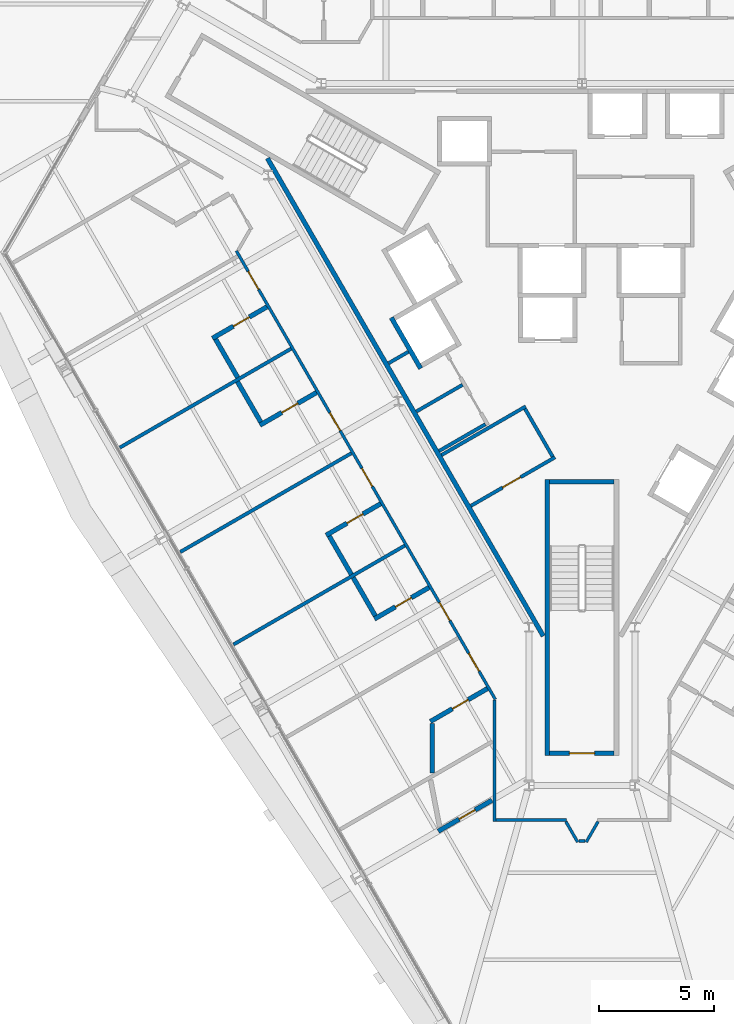
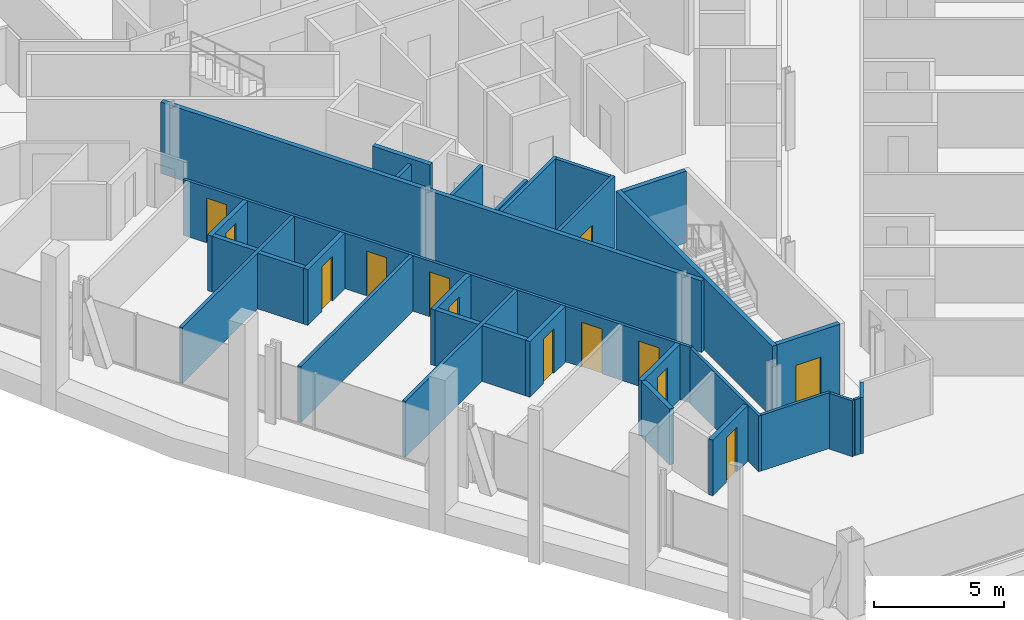
# One storey, part 11 of 19: 31 walls, 13 doors, 13 openings.
"""IFC4 building model written with IfcOpenShell, lengths in metres."""

import ifcopenshell
import ifcopenshell.guid

model = None  # the IFC model being written
_history = None  # IfcOwnerHistory: only IFC2X3 demands one
_inside = {}  # id of a spatial element -> (the spatial element, [elements in it])
_under = {}  # id of a project, library or spatial element -> (it, [spatial elements below it])
_declared = {}  # id of a project -> (the project, [libraries it declares])
_typed = {}  # id of a type object -> (the type object, [elements of that type])
_made_of = {}  # id of a material, layer set ... -> (it, [elements and type objects made of it])


def new_model(schema):
    """Start an empty IFC model of exactly this schema.

    Asked for "IFC4X3", IfcOpenShell would pick the latest addendum, in which some entities
    have other attributes; the version numbers below select the first issue.
    IFC2X3 requires an IfcOwnerHistory on every rooted entity: one is made here for all.
    """
    global model, _history
    if schema == "IFC4X3":
        model = ifcopenshell.file(schema_version=(4, 3, 0, 0))
    else:
        model = ifcopenshell.file(schema=schema)
    _inside.clear()
    _under.clear()
    _declared.clear()
    _typed.clear()
    _made_of.clear()
    _history = None
    if model.schema == "IFC2X3":
        org = make("IfcOrganization", Name="unknown")
        user = make(
            "IfcPersonAndOrganization",
            ThePerson=make("IfcPerson", FamilyName="unknown"),
            TheOrganization=org,
        )
        app = make(
            "IfcApplication",
            ApplicationDeveloper=org,
            Version="unknown",
            ApplicationFullName="unknown",
            ApplicationIdentifier="unknown",
        )
        _history = make(
            "IfcOwnerHistory",
            OwningUser=user,
            OwningApplication=app,
            ChangeAction="ADDED",
            CreationDate=0,
        )
    return model


def make(cls, **values):
    """One entity of the class cls with the attributes given. An attribute that is None is left unset."""
    return model.create_entity(
        cls, **{name: value for name, value in values.items() if value is not None}
    )


def rooted(cls, **values):
    """An entity with a GlobalId (a new one), such as an element, a storey or a relation."""
    return make(cls, GlobalId=ifcopenshell.guid.new(), OwnerHistory=_history, **values)


def si_unit(unit_type, name, prefix=None):
    """IfcSIUnit, for example si_unit("LENGTHUNIT", "METRE", prefix="MILLI")."""
    return make("IfcSIUnit", UnitType=unit_type, Prefix=prefix, Name=name)


def assignment(units):
    """IfcUnitAssignment: the units of a project."""
    return None if units is None else make("IfcUnitAssignment", Units=units)


def point(xyz):
    """IfcCartesianPoint."""
    return None if xyz is None else make("IfcCartesianPoint", Coordinates=xyz)


def direction(xyz):
    """IfcDirection."""
    return None if xyz is None else make("IfcDirection", DirectionRatios=xyz)


def frame(location, z_axis=None, x_axis=None):
    """IfcAxis2Placement3D, a coordinate frame: its origin and axes. An axis left out is left unset."""
    return make(
        "IfcAxis2Placement3D",
        Location=point(location),
        Axis=direction(z_axis),
        RefDirection=direction(x_axis),
    )


def frame_2d(location, x_axis=None):
    """IfcAxis2Placement2D, a coordinate frame in the plane: its origin and x axis."""
    return make(
        "IfcAxis2Placement2D", Location=point(location), RefDirection=direction(x_axis)
    )


def origin():
    """The frame at (0, 0, 0) with its axes left unset."""
    return frame((0.0, 0.0, 0.0))


def place(relative_to, where):
    """IfcLocalPlacement: puts the frame where relative to a parent placement (None: the world)."""
    return make(
        "IfcLocalPlacement", PlacementRelTo=relative_to, RelativePlacement=where
    )


def context(
    kind, dimensions, precision=None, world=None, true_north=None, identifier=None
):
    """IfcGeometricRepresentationContext, for example the 3D "Model" context."""
    return make(
        "IfcGeometricRepresentationContext",
        ContextIdentifier=identifier,
        ContextType=kind,
        CoordinateSpaceDimension=dimensions,
        Precision=precision,
        WorldCoordinateSystem=world,
        TrueNorth=true_north,
    )


def subcontext(parent, identifier, kind, view, scale=None):
    """IfcGeometricRepresentationSubContext, for example "Body" below "Model"."""
    return make(
        "IfcGeometricRepresentationSubContext",
        ContextIdentifier=identifier,
        ContextType=kind,
        ParentContext=parent,
        TargetScale=scale,
        TargetView=view,
    )


def project(units=None, contexts=None):
    """IfcProject with its units and contexts."""
    return rooted(
        "IfcProject",
        Name="project",
        RepresentationContexts=contexts,
        UnitsInContext=assignment(units),
    )


def spatial(cls, under=None, at=None, **own):
    """A site, building, storey or space (cls), placed at a placement, below another one or the project."""
    s = rooted(cls, ObjectPlacement=at, **own)
    if under is not None:
        _under.setdefault(under.id(), (under, []))[1].append(s)
    return s


def profile(cls, at=None, kind="AREA", **sizes):
    """A parametric profile (cls). Its sizes go by their IFC names, for example OverallWidth=200.0."""
    return make(cls, ProfileType=kind, Position=at, **sizes)


def rectangle(**sizes):
    """IfcRectangleProfileDef."""
    return profile("IfcRectangleProfileDef", **sizes)


def extrude(swept, where, along, depth):
    """IfcExtrudedAreaSolid: the profile swept, set in the frame where, extruded along a direction by depth."""
    return make(
        "IfcExtrudedAreaSolid",
        SweptArea=swept,
        Position=where,
        ExtrudedDirection=direction(along),
        Depth=depth,
    )


def shape(context_of_items, identifier, shape_type, items):
    """IfcShapeRepresentation: the items that make up one representation, for example the "Body"."""
    return make(
        "IfcShapeRepresentation",
        ContextOfItems=context_of_items,
        RepresentationIdentifier=identifier,
        RepresentationType=shape_type,
        Items=items,
    )


def material(Name=None, Category=None):
    """IfcMaterial."""
    return make("IfcMaterial", Name=Name, Category=Category)


def layer(
    of_material, thickness, ventilated=None, Name=None, Category=None, Priority=None
):
    """IfcMaterialLayer: one layer of a wall or slab, of a material (None: an air gap)."""
    return make(
        "IfcMaterialLayer",
        Material=of_material,
        LayerThickness=thickness,
        IsVentilated=ventilated,
        Name=Name,
        Category=Category,
        Priority=Priority,
    )


def layer_set(layers, Name=None):
    """IfcMaterialLayerSet."""
    return make("IfcMaterialLayerSet", MaterialLayers=layers, LayerSetName=Name)


def made_of(thing, what):
    """Note that an element or type object is made of a material, layer set ...; save() writes the relation."""
    if what is not None:
        _made_of.setdefault(what.id(), (what, []))[1].append(thing)
    return thing


def type_object(cls, material=None, **own):
    """A type object (cls), such as IfcWallType, which elements share."""
    return made_of(rooted(cls, **own), material)


def element(
    cls,
    number,
    at=None,
    inside=None,
    cuts=None,
    type_object=None,
    material=None,
    context=None,
    identifier="Body",
    shape_type=None,
    held_by="IfcProductDefinitionShape",
    body=None,
    shapes=None,
    **own,
):
    """One element of the class cls, such as IfcWall. Its Tag is "e" and its number.

    at: its placement. inside: the storey or other place that contains it. cuts: it is an
    opening in that element (IfcRelVoidsElement). A single representation is given by context,
    identifier, shape_type and body (its items); several are given by shapes. held_by: the class
    of the entity that holds the representations. save() writes the other relations.
    """
    e = rooted(cls, Tag="e%d" % number, ObjectPlacement=at, **own)
    if body is not None:
        shapes = [shape(context, identifier, shape_type, body)]
    if shapes is not None:
        e.Representation = make(held_by, Representations=shapes)
    if inside is not None:
        _inside.setdefault(inside.id(), (inside, []))[1].append(e)
    if cuts is not None:
        rooted(
            "IfcRelVoidsElement", RelatingBuildingElement=cuts, RelatedOpeningElement=e
        )
    if type_object is not None:
        _typed.setdefault(type_object.id(), (type_object, []))[1].append(e)
    return made_of(e, material)


def fill(opening, filler):
    """IfcRelFillsElement: the door or window that sits in an opening."""
    return rooted(
        "IfcRelFillsElement",
        RelatingOpeningElement=opening,
        RelatedBuildingElement=filler,
    )


def aggregate(whole, parts):
    """IfcRelAggregates: a whole, such as a stair, and the parts it consists of."""
    return rooted("IfcRelAggregates", RelatingObject=whole, RelatedObjects=parts)


def save(model, path):
    """Write the relations noted so far, then the file.

    IfcRelAggregates (storeys below a building ...), IfcRelContainedInSpatialStructure (elements
    in a storey), IfcRelDefinesByType, IfcRelAssociatesMaterial and IfcRelDeclares: one each for
    every whole, place, type object, material and project.
    """
    for whole, parts in _under.values():
        aggregate(whole, parts)
    for where, things in _inside.values():
        rooted(
            "IfcRelContainedInSpatialStructure",
            RelatedElements=things,
            RelatingStructure=where,
        )
    for kind, things in _typed.values():
        rooted("IfcRelDefinesByType", RelatedObjects=things, RelatingType=kind)
    for what, things in _made_of.values():
        rooted("IfcRelAssociatesMaterial", RelatedObjects=things, RelatingMaterial=what)
    for by, libraries in _declared.values():
        rooted("IfcRelDeclares", RelatingContext=by, RelatedDefinitions=libraries)
    model.write(path)


model = new_model("IFC4")

# Units and contexts
model_context = context("Model", 3, precision=1e-05, world=origin(), true_north=direction((0.0, 1.0)))
body_context = subcontext(model_context, "Body", "Model", "MODEL_VIEW")
ifc_project = project(units=[si_unit("LENGTHUNIT", "METRE"), si_unit("AREAUNIT", "SQUARE_METRE"), si_unit("VOLUMEUNIT", "CUBIC_METRE"), si_unit("PLANEANGLEUNIT", "RADIAN"), si_unit("MASSUNIT", "GRAM", prefix="KILO")], contexts=[model_context])

# Site, building, storey
site_placement = place(None, origin())
site = spatial("IfcSite", under=ifc_project, at=site_placement, CompositionType="ELEMENT")
building_placement = place(site_placement, origin())
building = spatial("IfcBuilding", under=site, at=building_placement, Name="Verrane Prism Tower", CompositionType="ELEMENT")
storey_placement = place(building_placement, frame((0.0, 0.0, 58.39990234375)))
storey = spatial("IfcBuildingStorey", under=building, at=storey_placement, Name="L12", CompositionType="ELEMENT", Elevation=58.39990234375)

# Wall
ifc_material_1 = material(Name="Gypsum board partition", Category="other")
ifc_layer_1 = layer(ifc_material_1, 0.199951171875)
ifc_layer_set_1 = layer_set([ifc_layer_1], Name="CW-200 core boundary wall 2 h")
wall_type_1 = type_object("IfcWallType", Name="CW-200 core boundary wall 2 h", PredefinedType="PARTITIONING", material=ifc_layer_set_1)
wall_1_placement = place(storey_placement, frame((-13.66357421875, 5.946044921875, 0.0), z_axis=(0.0, 0.0, 1.0), x_axis=(0.499994327219, -0.866028678941, 0.0)))
element("IfcWall", 1, at=wall_1_placement, inside=storey, type_object=wall_type_1, Name="Core boundary wall CW3-001", PredefinedType="PARTITIONING", context=body_context, shape_type="SweptSolid", body=[
    extrude(rectangle(XDim=23.967529296875, YDim=0.199951171875, at=frame_2d((11.98388671875, 0.0))), origin(), (0.0, 0.0, 1.0), 3.35009765625),
])

# Wall, opening, door
ifc_material_2 = material(Name="Concrete C40/50", Category="concrete")
ifc_layer_2 = layer(ifc_material_2, 0.199951171875)
ifc_layer_set_2 = layer_set([ifc_layer_2], Name="CW-200 stair core wall concrete C40/50 3 h")
wall_type_2 = type_object("IfcWallType", Name="CW-200 stair core wall concrete C40/50 3 h", PredefinedType="PARTITIONING", material=ifc_layer_set_2)
wall_2_placement = place(storey_placement, frame((-1.39990234375, -19.89990234375, 0.0), z_axis=(0.0, 0.0, 1.0), x_axis=(1.0, 0.0, 0.0)))
wall_2 = element("IfcWall", 2, at=wall_2_placement, inside=storey, type_object=wall_type_2, Name="Stair 3 enclosure wall", PredefinedType="PARTITIONING", context=body_context, shape_type="SweptSolid", body=[
    extrude(rectangle(XDim=2.7998046875, YDim=0.199951171875, at=frame_2d((1.39990234375, 0.0))), origin(), (0.0, 0.0, 1.0), 3.35009765625),
])
opening_1_placement = place(wall_2_placement, frame((0.85009765625, 0.0, 0.0)))
opening_1 = element("IfcOpeningElement", 3, at=opening_1_placement, cuts=wall_2, Name="Opening D12502", PredefinedType="OPENING", context=body_context, shape_type="SweptSolid", body=[
    extrude(rectangle(XDim=1.10009765625, YDim=2.10009765625, at=frame_2d((0.550048828125, 1.050048828125))), frame((0.0, 0.10986328125, 0.0), z_axis=(0.0, -1.0, 0.0), x_axis=(1.0, 0.0, 0.0)), (0.0, 0.0, 1.0), 0.219970703125),
])
ifc_material_3 = material(Name="Timber veneered door leaf", Category="wood")
door_type_1 = type_object("IfcDoorType", Name="DR-1100x2100 FD90 single leaf stair", OperationType="NOTDEFINED", PredefinedType="DOOR", material=ifc_material_3)
door_1_placement = place(opening_1_placement, origin())
door_1 = element("IfcDoor", 4, at=door_1_placement, inside=storey, type_object=door_type_1, Name="Stair 3 door", OperationType="SINGLE_SWING_LEFT", OverallHeight=2.10009765625, OverallWidth=1.10009765625, PredefinedType="DOOR", context=body_context, shape_type="SweptSolid", body=[
    extrude(rectangle(XDim=1.10009765625, YDim=2.10009765625, at=frame_2d((0.550048828125, 1.050048828125))), frame((0.0, 0.02490234375, 0.0), z_axis=(0.0, -1.0, 0.0), x_axis=(1.0, 0.0, 0.0)), (0.0, 0.0, 1.0), 0.050048828125),
])
fill(opening_1, door_1)

# Walls
wall_3_placement = place(storey_placement, frame((-1.5, -8.0, 0.0), z_axis=(0.0, 0.0, 1.0), x_axis=(0.0, -1.0, 0.0)))
element("IfcWall", 5, at=wall_3_placement, inside=storey, type_object=wall_type_2, Name="Stair 3 enclosure wall", PredefinedType="PARTITIONING", context=body_context, shape_type="SweptSolid", body=[
    extrude(rectangle(XDim=12.0, YDim=0.199951171875, at=frame_2d((6.0, 0.0))), origin(), (0.0, 0.0, 1.0), 3.35009765625),
])
wall_4_placement = place(storey_placement, frame((-1.39990234375, -8.10009765625, 0.0), z_axis=(0.0, 0.0, 1.0), x_axis=(1.0, 0.0, 0.0)))
element("IfcWall", 6, at=wall_4_placement, inside=storey, type_object=wall_type_2, Name="Stair 3 enclosure wall", PredefinedType="PARTITIONING", context=body_context, shape_type="SweptSolid", body=[
    extrude(rectangle(XDim=2.7998046875, YDim=0.199951171875, at=frame_2d((1.39990234375, 0.0))), origin(), (0.0, 0.0, 1.0), 3.35009765625),
])
ifc_material_4 = material(Name="Gypsum board shaft wall assembly", Category="other")
ifc_layer_3 = layer(ifc_material_4, 0.199951171875)
ifc_layer_set_3 = layer_set([ifc_layer_3], Name="HW-200 lift shaft wall 2 h")
wall_type_3 = type_object("IfcWallType", Name="HW-200 lift shaft wall 2 h", PredefinedType="PARTITIONING", material=ifc_layer_set_3)
wall_5_placement = place(storey_placement, frame((-7.00634765625, -3.184814453125, 0.0), z_axis=(0.0, 0.0, 1.0), x_axis=(-0.499990435942, 0.866030925526, 0.0)))
element("IfcWall", 7, at=wall_5_placement, inside=storey, type_object=wall_type_3, Name="Lift shaft wall", PredefinedType="PARTITIONING", context=body_context, shape_type="SweptSolid", body=[
    extrude(rectangle(XDim=2.5498046875, YDim=0.199951171875, at=frame_2d((1.27490234375, 0.0))), origin(), (0.0, 0.0, 1.0), 3.60009765625),
])

# Wall, openings, doors
ifc_material_5 = material(Name="Gypsum board partition", Category="other")
ifc_layer_4 = layer(ifc_material_5, 0.125)
ifc_layer_set_4 = layer_set([ifc_layer_4], Name="PW-125 corridor wall 1 h")
wall_type_4 = type_object("IfcWallType", Name="PW-125 corridor wall 1 h", PredefinedType="PARTITIONING", material=ifc_layer_set_4)
wall_6_placement = place(storey_placement, frame((-3.765869140625, -17.55810546875, 0.0), z_axis=(0.0, 0.0, 1.0), x_axis=(-0.500008349927, 0.866020582898, 0.0)))
wall_6 = element("IfcWall", 8, at=wall_6_placement, inside=storey, type_object=wall_type_4, Name="Corridor wall 019", PredefinedType="PARTITIONING", context=body_context, shape_type="SweptSolid", body=[
    extrude(rectangle(XDim=22.49609375, YDim=0.125, at=frame_2d((11.248046875, 0.0))), origin(), (0.0, 0.0, 1.0), 2.613037109375),
])
opening_2_placement = place(wall_6_placement, frame((20.56298828125, 0.0, 0.0)))
opening_2 = element("IfcOpeningElement", 9, at=opening_2_placement, cuts=wall_6, Name="Opening D12018", PredefinedType="OPENING", context=body_context, shape_type="SweptSolid", body=[
    extrude(rectangle(XDim=0.89990234375, YDim=2.10009765625, at=frame_2d((0.449951171875, 1.050048828125))), frame((0.0, 0.072509765625, 0.0), z_axis=(0.0, -1.0, 0.0), x_axis=(1.0, 0.0, 0.0)), (0.0, 0.0, 1.0), 0.14501953125),
])
opening_3_placement = place(wall_6_placement, frame((13.475830078125, 0.0, 0.0)))
opening_3 = element("IfcOpeningElement", 10, at=opening_3_placement, cuts=wall_6, Name="Opening D12020", PredefinedType="OPENING", context=body_context, shape_type="SweptSolid", body=[
    extrude(rectangle(XDim=0.89990234375, YDim=2.10009765625, at=frame_2d((0.449951171875, 1.050048828125))), frame((0.0, 0.072509765625, 0.0), z_axis=(0.0, -1.0, 0.0), x_axis=(1.0, 0.0, 0.0)), (0.0, 0.0, 1.0), 0.14501953125),
])
opening_4_placement = place(wall_6_placement, frame((10.683837890625, 0.0, 0.0)))
opening_4 = element("IfcOpeningElement", 11, at=opening_4_placement, cuts=wall_6, Name="Opening D12022", PredefinedType="OPENING", context=body_context, shape_type="SweptSolid", body=[
    extrude(rectangle(XDim=0.89990234375, YDim=2.10009765625, at=frame_2d((0.449951171875, 1.050048828125))), frame((0.0, 0.072509765625, 0.0), z_axis=(0.0, -1.0, 0.0), x_axis=(1.0, 0.0, 0.0)), (0.0, 0.0, 1.0), 0.14501953125),
])
opening_5_placement = place(wall_6_placement, frame((3.947998046875, 0.0, 0.0)))
opening_5 = element("IfcOpeningElement", 12, at=opening_5_placement, cuts=wall_6, Name="Opening D12024", PredefinedType="OPENING", context=body_context, shape_type="SweptSolid", body=[
    extrude(rectangle(XDim=0.89990234375, YDim=2.10009765625, at=frame_2d((0.449951171875, 1.050048828125))), frame((0.0, 0.072509765625, 0.0), z_axis=(0.0, -1.0, 0.0), x_axis=(1.0, 0.0, 0.0)), (0.0, 0.0, 1.0), 0.14501953125),
])
opening_6_placement = place(wall_6_placement, frame((1.410888671875, 0.0, 0.0)))
opening_6 = element("IfcOpeningElement", 13, at=opening_6_placement, cuts=wall_6, Name="Opening D12026", PredefinedType="OPENING", context=body_context, shape_type="SweptSolid", body=[
    extrude(rectangle(XDim=0.89990234375, YDim=2.10009765625, at=frame_2d((0.449951171875, 1.050048828125))), frame((0.0, 0.072509765625, 0.0), z_axis=(0.0, -1.0, 0.0), x_axis=(1.0, 0.0, 0.0)), (0.0, 0.0, 1.0), 0.14501953125),
])
ifc_material_6 = material(Name="Timber veneered door leaf", Category="wood")
door_type_2 = type_object("IfcDoorType", Name="DR-900x2100 FD20 single leaf unit", OperationType="NOTDEFINED", PredefinedType="DOOR", material=ifc_material_6)
door_2_placement = place(opening_2_placement, origin())
door_2 = element("IfcDoor", 14, at=door_2_placement, inside=storey, type_object=door_type_2, Name="Guest Room door", OperationType="SINGLE_SWING_LEFT", OverallHeight=2.10009765625, OverallWidth=0.89990234375, PredefinedType="DOOR", context=body_context, shape_type="SweptSolid", body=[
    extrude(rectangle(XDim=0.89990234375, YDim=2.10009765625, at=frame_2d((0.449951171875, 1.050048828125))), frame((0.0, 0.02490234375, 0.0), z_axis=(0.0, -1.0, 0.0), x_axis=(1.0, 0.0, 0.0)), (0.0, 0.0, 1.0), 0.050048828125),
])
fill(opening_2, door_2)
door_3_placement = place(opening_3_placement, origin())
door_3 = element("IfcDoor", 15, at=door_3_placement, inside=storey, type_object=door_type_2, Name="Guest Room door", OperationType="SINGLE_SWING_LEFT", OverallHeight=2.10009765625, OverallWidth=0.89990234375, PredefinedType="DOOR", context=body_context, shape_type="SweptSolid", body=[
    extrude(rectangle(XDim=0.89990234375, YDim=2.10009765625, at=frame_2d((0.449951171875, 1.050048828125))), frame((0.0, 0.02490234375, 0.0), z_axis=(0.0, -1.0, 0.0), x_axis=(1.0, 0.0, 0.0)), (0.0, 0.0, 1.0), 0.050048828125),
])
fill(opening_3, door_3)
door_4_placement = place(opening_4_placement, origin())
door_4 = element("IfcDoor", 16, at=door_4_placement, inside=storey, type_object=door_type_2, Name="Guest Room door", OperationType="SINGLE_SWING_LEFT", OverallHeight=2.10009765625, OverallWidth=0.89990234375, PredefinedType="DOOR", context=body_context, shape_type="SweptSolid", body=[
    extrude(rectangle(XDim=0.89990234375, YDim=2.10009765625, at=frame_2d((0.449951171875, 1.050048828125))), frame((0.0, 0.02490234375, 0.0), z_axis=(0.0, -1.0, 0.0), x_axis=(1.0, 0.0, 0.0)), (0.0, 0.0, 1.0), 0.050048828125),
])
fill(opening_4, door_4)
door_5_placement = place(opening_5_placement, origin())
door_5 = element("IfcDoor", 17, at=door_5_placement, inside=storey, type_object=door_type_2, Name="Guest Room door", OperationType="SINGLE_SWING_LEFT", OverallHeight=2.10009765625, OverallWidth=0.89990234375, PredefinedType="DOOR", context=body_context, shape_type="SweptSolid", body=[
    extrude(rectangle(XDim=0.89990234375, YDim=2.10009765625, at=frame_2d((0.449951171875, 1.050048828125))), frame((0.0, 0.02490234375, 0.0), z_axis=(0.0, -1.0, 0.0), x_axis=(1.0, 0.0, 0.0)), (0.0, 0.0, 1.0), 0.050048828125),
])
fill(opening_5, door_5)
door_6_placement = place(opening_6_placement, origin())
door_6 = element("IfcDoor", 18, at=door_6_placement, inside=storey, type_object=door_type_2, Name="Guest Room door", OperationType="SINGLE_SWING_LEFT", OverallHeight=2.10009765625, OverallWidth=0.89990234375, PredefinedType="DOOR", context=body_context, shape_type="SweptSolid", body=[
    extrude(rectangle(XDim=0.89990234375, YDim=2.10009765625, at=frame_2d((0.449951171875, 1.050048828125))), frame((0.0, 0.02490234375, 0.0), z_axis=(0.0, -1.0, 0.0), x_axis=(1.0, 0.0, 0.0)), (0.0, 0.0, 1.0), 0.050048828125),
])
fill(opening_6, door_6)

# Walls
wall_7_placement = place(storey_placement, frame((-3.797119140625, -22.859619140625, 0.0), z_axis=(0.0, 0.0, 1.0), x_axis=(0.0, 1.0, 0.0)))
element("IfcWall", 19, at=wall_7_placement, inside=storey, type_object=wall_type_4, Name="Corridor wall 041", PredefinedType="PARTITIONING", context=body_context, shape_type="SweptSolid", body=[
    extrude(rectangle(XDim=5.2705078125, YDim=0.125, at=frame_2d((2.63525390625, 0.0))), origin(), (0.0, 0.0, 1.0), 2.613037109375),
])
wall_8_placement = place(storey_placement, frame((-3.73193359375, -22.797119140625, 0.0), z_axis=(0.0, 0.0, 1.0), x_axis=(1.0, 0.0, 0.0)))
element("IfcWall", 20, at=wall_8_placement, inside=storey, type_object=wall_type_4, Name="Corridor wall 042", PredefinedType="PARTITIONING", context=body_context, shape_type="SweptSolid", body=[
    extrude(rectangle(XDim=3.053466796875, YDim=0.125, at=frame_2d((1.52685546875, 0.0))), origin(), (0.0, 0.0, 1.0), 2.613037109375),
])
wall_9_placement = place(storey_placement, frame((-0.698486328125, -22.87060546875, 0.0), z_axis=(0.0, 0.0, 1.0), x_axis=(0.499202016691, -0.866485629732, 0.0)))
element("IfcWall", 21, at=wall_9_placement, inside=storey, type_object=wall_type_4, Name="Corridor wall 045", PredefinedType="PARTITIONING", context=body_context, shape_type="SweptSolid", body=[
    extrude(rectangle(XDim=1.029052734375, YDim=0.125, at=frame_2d((0.5146484375, 0.0))), origin(), (0.0, 0.0, 1.0), 2.613037109375),
])
wall_10_placement = place(storey_placement, frame((-0.131103515625, -23.7080078125, 0.0), z_axis=(0.0, 0.0, 1.0), x_axis=(1.0, 0.0, 0.0)))
element("IfcWall", 22, at=wall_10_placement, inside=storey, type_object=wall_type_4, Name="Corridor wall 046", PredefinedType="PARTITIONING", context=body_context, shape_type="SweptSolid", body=[
    extrude(rectangle(XDim=0.26220703125, YDim=0.125, at=frame_2d((0.131103515625, 0.0))), origin(), (0.0, 0.0, 1.0), 2.613037109375),
])
wall_11_placement = place(storey_placement, frame((0.184814453125, -23.76220703125, 0.0), z_axis=(0.0, 0.0, 1.0), x_axis=(0.499914057068, 0.866075017274, 0.0)))
element("IfcWall", 23, at=wall_11_placement, inside=storey, type_object=wall_type_4, Name="Corridor wall 047", PredefinedType="PARTITIONING", context=body_context, shape_type="SweptSolid", body=[
    extrude(rectangle(XDim=1.029541015625, YDim=0.125, at=frame_2d((0.5146484375, 0.0))), origin(), (0.0, 0.0, 1.0), 2.613037109375),
])
ifc_material_7 = material(Name="Gypsum board partition", Category="other")
ifc_layer_5 = layer(ifc_material_7, 0.14990234375)
ifc_layer_set_5 = layer_set([ifc_layer_5], Name="PW-150 demising wall 1 h")
wall_type_5 = type_object("IfcWallType", Name="PW-150 demising wall 1 h", PredefinedType="PARTITIONING", material=ifc_layer_set_5)
wall_12_placement = place(storey_placement, frame((-20.073486328125, -6.620849609375, 0.0), z_axis=(0.0, 0.0, 1.0), x_axis=(0.866029425019, 0.499993034952, 0.0)))
element("IfcWall", 24, at=wall_12_placement, inside=storey, type_object=wall_type_5, Name="Demising wall 005", PredefinedType="PARTITIONING", context=body_context, shape_type="SweptSolid", body=[
    extrude(rectangle(XDim=8.59130859375, YDim=0.14990234375, at=frame_2d((4.295654296875, 0.0))), origin(), (0.0, 0.0, 1.0), 2.613037109375),
])
wall_13_placement = place(storey_placement, frame((-17.45263671875, -11.159912109375, 0.0), z_axis=(0.0, 0.0, 1.0), x_axis=(0.866031705461, 0.499989085017, 0.0)))
element("IfcWall", 25, at=wall_13_placement, inside=storey, type_object=wall_type_5, Name="Demising wall 010", PredefinedType="PARTITIONING", context=body_context, shape_type="SweptSolid", body=[
    extrude(rectangle(XDim=8.586669921875, YDim=0.14990234375, at=frame_2d((4.29345703125, 0.0))), origin(), (0.0, 0.0, 1.0), 2.613037109375),
])
wall_14_placement = place(storey_placement, frame((-15.134765625, -15.175048828125, 0.0), z_axis=(0.0, 0.0, 1.0), x_axis=(0.866024224461, 0.500002042643, 0.0)))
element("IfcWall", 26, at=wall_14_placement, inside=storey, type_object=wall_type_5, Name="Demising wall 016", PredefinedType="PARTITIONING", context=body_context, shape_type="SweptSolid", body=[
    extrude(rectangle(XDim=8.591796875, YDim=0.14990234375, at=frame_2d((4.2958984375, 0.0))), origin(), (0.0, 0.0, 1.0), 2.613037109375),
])
ifc_material_8 = material(Name="Gypsum board partition", Category="other")
ifc_layer_6 = layer(ifc_material_8, 0.199951171875)
ifc_layer_set_6 = layer_set([ifc_layer_6], Name="PW-200 plumbing wall")
wall_type_6 = type_object("IfcWallType", Name="PW-200 plumbing wall", PredefinedType="PARTITIONING", material=ifc_layer_set_6)
wall_15_placement = place(storey_placement, frame((-15.9169921875, -1.91162109375, 0.0), z_axis=(0.0, 0.0, 1.0), x_axis=(0.499913221443, -0.866075499611, 0.0)))
element("IfcWall", 27, at=wall_15_placement, inside=storey, type_object=wall_type_6, Name="Plumbing wall 011", PredefinedType="PARTITIONING", context=body_context, shape_type="SweptSolid", body=[
    extrude(rectangle(XDim=1.920166015625, YDim=0.199951171875, at=frame_2d((0.9599609375, 0.0))), origin(), (0.0, 0.0, 1.0), 2.613037109375),
])

# Wall, opening, door
wall_16_placement = place(storey_placement, frame((-13.6875, -0.5087890625, 0.0), z_axis=(0.0, 0.0, 1.0), x_axis=(-0.866012976267, -0.500021524473, 0.0)))
wall_16 = element("IfcWall", 28, at=wall_16_placement, inside=storey, type_object=wall_type_6, Name="Plumbing wall 012", PredefinedType="PARTITIONING", context=body_context, shape_type="SweptSolid", body=[
    extrude(rectangle(XDim=2.732421875, YDim=0.199951171875, at=frame_2d((1.3662109375, 0.0))), origin(), (0.0, 0.0, 1.0), 2.613037109375),
])
opening_7_placement = place(wall_16_placement, frame((0.88232421875, 0.0, 0.0)))
opening_7 = element("IfcOpeningElement", 29, at=opening_7_placement, cuts=wall_16, Name="Opening D12019", PredefinedType="OPENING", context=body_context, shape_type="SweptSolid", body=[
    extrude(rectangle(XDim=0.800048828125, YDim=2.10009765625, at=frame_2d((0.39990234375, 1.050048828125))), frame((0.0, 0.10986328125, 0.0), z_axis=(0.0, -1.0, 0.0), x_axis=(1.0, 0.0, 0.0)), (0.0, 0.0, 1.0), 0.219970703125),
])
ifc_material_9 = material(Name="Timber veneered door leaf", Category="wood")
door_type_3 = type_object("IfcDoorType", Name="DR-800x2100 single leaf bath", OperationType="NOTDEFINED", PredefinedType="DOOR", material=ifc_material_9)
door_7_placement = place(opening_7_placement, origin())
door_7 = element("IfcDoor", 30, at=door_7_placement, inside=storey, type_object=door_type_3, Name="En-Suite door", OperationType="SINGLE_SWING_RIGHT", OverallHeight=2.10009765625, OverallWidth=0.800048828125, PredefinedType="DOOR", context=body_context, shape_type="SweptSolid", body=[
    extrude(rectangle(XDim=0.800048828125, YDim=2.10009765625, at=frame_2d((0.39990234375, 1.050048828125))), frame((0.0, 0.02490234375, 0.0), z_axis=(0.0, -1.0, 0.0), x_axis=(1.0, 0.0, 0.0)), (0.0, 0.0, 1.0), 0.050048828125),
])
fill(opening_7, door_7)

# Wall
wall_17_placement = place(storey_placement, frame((-14.966552734375, -3.759033203125, 0.0), z_axis=(0.0, 0.0, 1.0), x_axis=(0.500042536776, -0.866000843773, 0.0)))
element("IfcWall", 31, at=wall_17_placement, inside=storey, type_object=wall_type_6, Name="Plumbing wall 017", PredefinedType="PARTITIONING", context=body_context, shape_type="SweptSolid", body=[
    extrude(rectangle(XDim=2.024658203125, YDim=0.199951171875, at=frame_2d((1.01220703125, 0.0))), origin(), (0.0, 0.0, 1.0), 2.613037109375),
])

# Wall, opening, door
wall_18_placement = place(storey_placement, frame((-13.99072265625, -5.64892578125, 0.0), z_axis=(0.0, 0.0, 1.0), x_axis=(0.866048046904, 0.499960778915, 0.0)))
wall_18 = element("IfcWall", 32, at=wall_18_placement, inside=storey, type_object=wall_type_6, Name="Plumbing wall 020", PredefinedType="PARTITIONING", context=body_context, shape_type="SweptSolid", body=[
    extrude(rectangle(XDim=2.837646484375, YDim=0.199951171875, at=frame_2d((1.4189453125, 0.0))), origin(), (0.0, 0.0, 1.0), 2.613037109375),
])
opening_8_placement = place(wall_18_placement, frame((1.10009765625, 0.0, 0.0)))
opening_8 = element("IfcOpeningElement", 33, at=opening_8_placement, cuts=wall_18, Name="Opening D12021", PredefinedType="OPENING", context=body_context, shape_type="SweptSolid", body=[
    extrude(rectangle(XDim=0.800048828125, YDim=2.10009765625, at=frame_2d((0.39990234375, 1.050048828125))), frame((0.0, 0.10986328125, 0.0), z_axis=(0.0, -1.0, 0.0), x_axis=(1.0, 0.0, 0.0)), (0.0, 0.0, 1.0), 0.219970703125),
])
door_8_placement = place(opening_8_placement, origin())
door_8 = element("IfcDoor", 34, at=door_8_placement, inside=storey, type_object=door_type_3, Name="En-Suite door", OperationType="SINGLE_SWING_LEFT", OverallHeight=2.10009765625, OverallWidth=0.800048828125, PredefinedType="DOOR", context=body_context, shape_type="SweptSolid", body=[
    extrude(rectangle(XDim=0.800048828125, YDim=2.10009765625, at=frame_2d((0.39990234375, 1.050048828125))), frame((0.0, 0.02490234375, 0.0), z_axis=(0.0, -1.0, 0.0), x_axis=(1.0, 0.0, 0.0)), (0.0, 0.0, 1.0), 0.050048828125),
])
fill(opening_8, door_8)

# Wall
wall_19_placement = place(storey_placement, frame((-10.97802734375, -10.466552734375, 0.0), z_axis=(0.0, 0.0, 1.0), x_axis=(0.499832553123, -0.866122057702, 0.0)))
element("IfcWall", 35, at=wall_19_placement, inside=storey, type_object=wall_type_6, Name="Plumbing wall 026", PredefinedType="PARTITIONING", context=body_context, shape_type="SweptSolid", body=[
    extrude(rectangle(XDim=1.919677734375, YDim=0.199951171875, at=frame_2d((0.9599609375, 0.0))), origin(), (0.0, 0.0, 1.0), 2.613037109375),
])

# Wall, opening, door
wall_20_placement = place(storey_placement, frame((-8.744140625, -9.061279296875, 0.0), z_axis=(0.0, 0.0, 1.0), x_axis=(-0.866005850709, -0.50003386539, 0.0)))
wall_20 = element("IfcWall", 36, at=wall_20_placement, inside=storey, type_object=wall_type_6, Name="Plumbing wall 027", PredefinedType="PARTITIONING", context=body_context, shape_type="SweptSolid", body=[
    extrude(rectangle(XDim=2.737060546875, YDim=0.199951171875, at=frame_2d((1.36865234375, 0.0))), origin(), (0.0, 0.0, 1.0), 2.613037109375),
])
opening_9_placement = place(wall_20_placement, frame((0.88720703125, 0.0, 0.0)))
opening_9 = element("IfcOpeningElement", 37, at=opening_9_placement, cuts=wall_20, Name="Opening D12023", PredefinedType="OPENING", context=body_context, shape_type="SweptSolid", body=[
    extrude(rectangle(XDim=0.800048828125, YDim=2.10009765625, at=frame_2d((0.39990234375, 1.050048828125))), frame((0.0, 0.10986328125, 0.0), z_axis=(0.0, -1.0, 0.0), x_axis=(1.0, 0.0, 0.0)), (0.0, 0.0, 1.0), 0.219970703125),
])
door_9_placement = place(opening_9_placement, origin())
door_9 = element("IfcDoor", 38, at=door_9_placement, inside=storey, type_object=door_type_3, Name="En-Suite door", OperationType="SINGLE_SWING_RIGHT", OverallHeight=2.10009765625, OverallWidth=0.800048828125, PredefinedType="DOOR", context=body_context, shape_type="SweptSolid", body=[
    extrude(rectangle(XDim=0.800048828125, YDim=2.10009765625, at=frame_2d((0.39990234375, 1.050048828125))), frame((0.0, 0.02490234375, 0.0), z_axis=(0.0, -1.0, 0.0), x_axis=(1.0, 0.0, 0.0)), (0.0, 0.0, 1.0), 0.050048828125),
])
fill(opening_9, door_9)

# Wall
wall_21_placement = place(storey_placement, frame((-9.9384765625, -12.26806640625, 0.0), z_axis=(0.0, 0.0, 1.0), x_axis=(0.500269123289, -0.865869969617, 0.0)))
element("IfcWall", 39, at=wall_21_placement, inside=storey, type_object=wall_type_6, Name="Plumbing wall 029", PredefinedType="PARTITIONING", context=body_context, shape_type="SweptSolid", body=[
    extrude(rectangle(XDim=1.919921875, YDim=0.199951171875, at=frame_2d((0.9599609375, 0.0))), origin(), (0.0, 0.0, 1.0), 2.613037109375),
])

# Wall, opening, door
wall_22_placement = place(storey_placement, frame((-9.0146484375, -14.06689453125, 0.0), z_axis=(0.0, 0.0, 1.0), x_axis=(0.866028150195, 0.499995243048, 0.0)))
wall_22 = element("IfcWall", 40, at=wall_22_placement, inside=storey, type_object=wall_type_6, Name="Plumbing wall 034", PredefinedType="PARTITIONING", context=body_context, shape_type="SweptSolid", body=[
    extrude(rectangle(XDim=2.7373046875, YDim=0.199951171875, at=frame_2d((1.36865234375, 0.0))), origin(), (0.0, 0.0, 1.0), 2.613037109375),
])
opening_10_placement = place(wall_22_placement, frame((1.050048828125, 0.0, 0.0)))
opening_10 = element("IfcOpeningElement", 41, at=opening_10_placement, cuts=wall_22, Name="Opening D12025", PredefinedType="OPENING", context=body_context, shape_type="SweptSolid", body=[
    extrude(rectangle(XDim=0.800048828125, YDim=2.10009765625, at=frame_2d((0.39990234375, 1.050048828125))), frame((0.0, 0.10986328125, 0.0), z_axis=(0.0, -1.0, 0.0), x_axis=(1.0, 0.0, 0.0)), (0.0, 0.0, 1.0), 0.219970703125),
])
door_10_placement = place(opening_10_placement, origin())
door_10 = element("IfcDoor", 42, at=door_10_placement, inside=storey, type_object=door_type_3, Name="En-Suite door", OperationType="SINGLE_SWING_LEFT", OverallHeight=2.10009765625, OverallWidth=0.800048828125, PredefinedType="DOOR", context=body_context, shape_type="SweptSolid", body=[
    extrude(rectangle(XDim=0.800048828125, YDim=2.10009765625, at=frame_2d((0.39990234375, 1.050048828125))), frame((0.0, 0.02490234375, 0.0), z_axis=(0.0, -1.0, 0.0), x_axis=(1.0, 0.0, 0.0)), (0.0, 0.0, 1.0), 0.050048828125),
])
fill(opening_10, door_10)

# Wall
wall_23_placement = place(storey_placement, frame((-6.4970703125, -20.751708984375, 0.0), z_axis=(0.0, 0.0, 1.0), x_axis=(0.0, 1.0, 0.0)))
element("IfcWall", 43, at=wall_23_placement, inside=storey, type_object=wall_type_6, Name="Plumbing wall 037", PredefinedType="PARTITIONING", context=body_context, shape_type="SweptSolid", body=[
    extrude(rectangle(XDim=2.145751953125, YDim=0.199951171875, at=frame_2d((1.07275390625, 0.0))), origin(), (0.0, 0.0, 1.0), 2.613037109375),
])

# Wall, opening, door
wall_24_placement = place(storey_placement, frame((-4.108154296875, -17.09130859375, 0.0), z_axis=(0.0, 0.0, 1.0), x_axis=(-0.865942343511, -0.500143837025, 0.0)))
wall_24 = element("IfcWall", 44, at=wall_24_placement, inside=storey, type_object=wall_type_6, Name="Plumbing wall 038", PredefinedType="PARTITIONING", context=body_context, shape_type="SweptSolid", body=[
    extrude(rectangle(XDim=2.858642578125, YDim=0.199951171875, at=frame_2d((1.42919921875, 0.0))), origin(), (0.0, 0.0, 1.0), 2.613037109375),
])
opening_11_placement = place(wall_24_placement, frame((0.958740234375, 0.0, 0.0)))
opening_11 = element("IfcOpeningElement", 45, at=opening_11_placement, cuts=wall_24, Name="Opening D12027", PredefinedType="OPENING", context=body_context, shape_type="SweptSolid", body=[
    extrude(rectangle(XDim=0.800048828125, YDim=2.10009765625, at=frame_2d((0.39990234375, 1.050048828125))), frame((0.0, 0.10986328125, 0.0), z_axis=(0.0, -1.0, 0.0), x_axis=(1.0, 0.0, 0.0)), (0.0, 0.0, 1.0), 0.219970703125),
])
door_11_placement = place(opening_11_placement, origin())
door_11 = element("IfcDoor", 46, at=door_11_placement, inside=storey, type_object=door_type_3, Name="En-Suite door", OperationType="SINGLE_SWING_RIGHT", OverallHeight=2.10009765625, OverallWidth=0.800048828125, PredefinedType="DOOR", context=body_context, shape_type="SweptSolid", body=[
    extrude(rectangle(XDim=0.800048828125, YDim=2.10009765625, at=frame_2d((0.39990234375, 1.050048828125))), frame((0.0, 0.02490234375, 0.0), z_axis=(0.0, -1.0, 0.0), x_axis=(1.0, 0.0, 0.0)), (0.0, 0.0, 1.0), 0.050048828125),
])
fill(opening_11, door_11)

wall_25_placement = place(storey_placement, frame((-6.24267578125, -23.2890625, 0.0), z_axis=(0.0, 0.0, 1.0), x_axis=(0.866172005986, 0.499745991525, 0.0)))
wall_25 = element("IfcWall", 47, at=wall_25_placement, inside=storey, type_object=wall_type_6, Name="Plumbing wall 039", PredefinedType="PARTITIONING", context=body_context, shape_type="SweptSolid", body=[
    extrude(rectangle(XDim=2.69384765625, YDim=0.199951171875, at=frame_2d((1.346923828125, 0.0))), origin(), (0.0, 0.0, 1.0), 2.613037109375),
])
opening_12_placement = place(wall_25_placement, frame((1.050048828125, 0.0, 0.0)))
opening_12 = element("IfcOpeningElement", 48, at=opening_12_placement, cuts=wall_25, Name="Opening D12029", PredefinedType="OPENING", context=body_context, shape_type="SweptSolid", body=[
    extrude(rectangle(XDim=0.800048828125, YDim=2.10009765625, at=frame_2d((0.39990234375, 1.050048828125))), frame((0.0, 0.10986328125, 0.0), z_axis=(0.0, -1.0, 0.0), x_axis=(1.0, 0.0, 0.0)), (0.0, 0.0, 1.0), 0.219970703125),
])
door_12_placement = place(opening_12_placement, origin())
door_12 = element("IfcDoor", 49, at=door_12_placement, inside=storey, type_object=door_type_3, Name="En-Suite door", OperationType="SINGLE_SWING_LEFT", OverallHeight=2.10009765625, OverallWidth=0.800048828125, PredefinedType="DOOR", context=body_context, shape_type="SweptSolid", body=[
    extrude(rectangle(XDim=0.800048828125, YDim=2.10009765625, at=frame_2d((0.39990234375, 1.050048828125))), frame((0.0, 0.02490234375, 0.0), z_axis=(0.0, -1.0, 0.0), x_axis=(1.0, 0.0, 0.0)), (0.0, 0.0, 1.0), 0.050048828125),
])
fill(opening_12, door_12)

# Walls
ifc_material_10 = material(Name="Gypsum board partition", Category="other")
ifc_layer_7 = layer(ifc_material_10, 0.14990234375)
ifc_layer_set_7 = layer_set([ifc_layer_7], Name="RS-150 riser enclosure wall 1 h")
wall_type_7 = type_object("IfcWallType", Name="RS-150 riser enclosure wall 1 h", PredefinedType="PARTITIONING", material=ifc_layer_set_7)
wall_26_placement = place(storey_placement, frame((-8.402099609375, -2.95751953125, 0.0), z_axis=(0.0, 0.0, 1.0), x_axis=(0.866025935826, 0.499999078476, 0.0)))
element("IfcWall", 50, at=wall_26_placement, inside=storey, type_object=wall_type_7, Name="Riser wall RS3-001", PredefinedType="PARTITIONING", context=body_context, shape_type="SweptSolid", body=[
    extrude(rectangle(XDim=0.9931640625, YDim=0.14990234375, at=frame_2d((0.49658203125, 0.0))), origin(), (0.0, 0.0, 1.0), 3.35009765625),
])
wall_27_placement = place(storey_placement, frame((-7.192138671875, -5.053466796875, 0.0), z_axis=(0.0, 0.0, 1.0), x_axis=(0.865851878631, 0.500300434011, 0.0)))
element("IfcWall", 51, at=wall_27_placement, inside=storey, type_object=wall_type_7, Name="Riser wall RS3-002", PredefinedType="PARTITIONING", context=body_context, shape_type="SweptSolid", body=[
    extrude(rectangle(XDim=2.3154296875, YDim=0.14990234375, at=frame_2d((1.15771484375, 0.0))), origin(), (0.0, 0.0, 1.0), 3.35009765625),
])
wall_28_placement = place(storey_placement, frame((-6.206298828125, -6.77001953125, 0.0), z_axis=(0.0, 0.0, 1.0), x_axis=(0.865998469481, 0.500046648681, 0.0)))
element("IfcWall", 52, at=wall_28_placement, inside=storey, type_object=wall_type_7, Name="Riser wall RS3-003", PredefinedType="PARTITIONING", context=body_context, shape_type="SweptSolid", body=[
    extrude(rectangle(XDim=2.324951171875, YDim=0.14990234375, at=frame_2d((1.16259765625, 0.0))), origin(), (0.0, 0.0, 1.0), 3.35009765625),
])
wall_29_placement = place(storey_placement, frame((-6.10009765625, -6.945556640625, 0.0), z_axis=(0.0, 0.0, 1.0), x_axis=(0.866038200431, 0.499977834903, 0.0)))
element("IfcWall", 53, at=wall_29_placement, inside=storey, type_object=wall_type_7, Name="Riser wall RS3-004", PredefinedType="PARTITIONING", context=body_context, shape_type="SweptSolid", body=[
    extrude(rectangle(XDim=4.220458984375, YDim=0.14990234375, at=frame_2d((2.1103515625, 0.0))), origin(), (0.0, 0.0, 1.0), 3.35009765625),
])

# Wall, opening, door
wall_30_placement = place(storey_placement, frame((-4.824951171875, -9.153564453125, 0.0), z_axis=(0.0, 0.0, 1.0), x_axis=(0.866023738697, 0.500002884005, 0.0)))
wall_30 = element("IfcWall", 54, at=wall_30_placement, inside=storey, type_object=wall_type_7, Name="Riser wall RS3-006", PredefinedType="PARTITIONING", context=body_context, shape_type="SweptSolid", body=[
    extrude(rectangle(XDim=4.22021484375, YDim=0.14990234375, at=frame_2d((2.110107421875, 0.0))), origin(), (0.0, 0.0, 1.0), 3.35009765625),
])
opening_13_placement = place(wall_30_placement, frame((1.594970703125, 0.0, 0.0)))
opening_13 = element("IfcOpeningElement", 55, at=opening_13_placement, cuts=wall_30, Name="Opening D12514", PredefinedType="OPENING", context=body_context, shape_type="SweptSolid", body=[
    extrude(rectangle(XDim=0.89990234375, YDim=2.10009765625, at=frame_2d((0.449951171875, 1.050048828125))), frame((0.0, 0.0849609375, 0.0), z_axis=(0.0, -1.0, 0.0), x_axis=(1.0, 0.0, 0.0)), (0.0, 0.0, 1.0), 0.169921875),
])
ifc_material_11 = material(Name="Timber veneered door leaf", Category="wood")
door_type_4 = type_object("IfcDoorType", Name="DR-900x2100 FD20 single leaf store", OperationType="NOTDEFINED", PredefinedType="DOOR", material=ifc_material_11)
door_13_placement = place(opening_13_placement, origin())
door_13 = element("IfcDoor", 56, at=door_13_placement, inside=storey, type_object=door_type_4, Name="Room door D12514", OperationType="SINGLE_SWING_LEFT", OverallHeight=2.10009765625, OverallWidth=0.89990234375, PredefinedType="DOOR", context=body_context, shape_type="SweptSolid", body=[
    extrude(rectangle(XDim=0.89990234375, YDim=2.10009765625, at=frame_2d((0.449951171875, 1.050048828125))), frame((0.0, 0.02490234375, 0.0), z_axis=(0.0, -1.0, 0.0), x_axis=(1.0, 0.0, 0.0)), (0.0, 0.0, 1.0), 0.050048828125),
])
fill(opening_13, door_13)

# Wall
wall_31_placement = place(storey_placement, frame((-2.472412109375, -4.93798828125, 0.0), z_axis=(0.0, 0.0, 1.0), x_axis=(0.500045362686, -0.865999212041, 0.0)))
element("IfcWall", 57, at=wall_31_placement, inside=storey, type_object=wall_type_7, Name="Riser wall RS3-007", PredefinedType="PARTITIONING", context=body_context, shape_type="SweptSolid", body=[
    extrude(rectangle(XDim=2.399658203125, YDim=0.14990234375, at=frame_2d((1.19970703125, 0.0))), origin(), (0.0, 0.0, 1.0), 3.35009765625),
])

save(model, "model.ifc")
